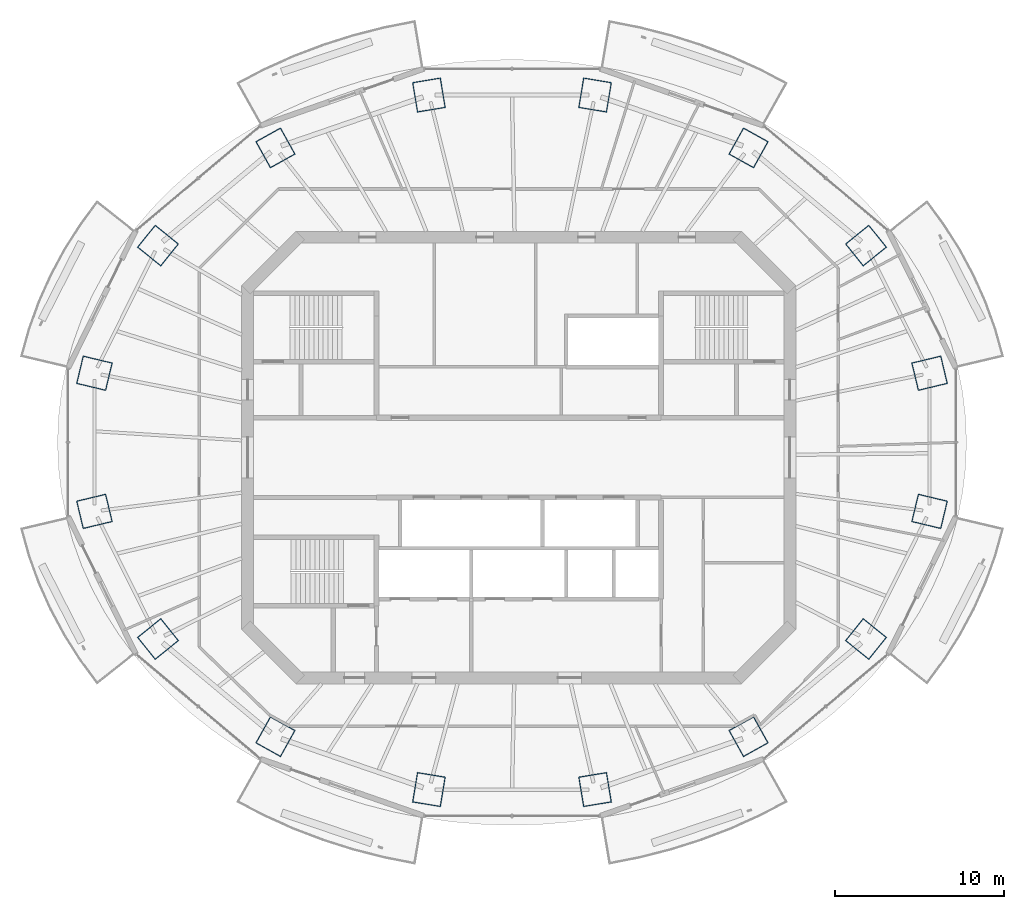
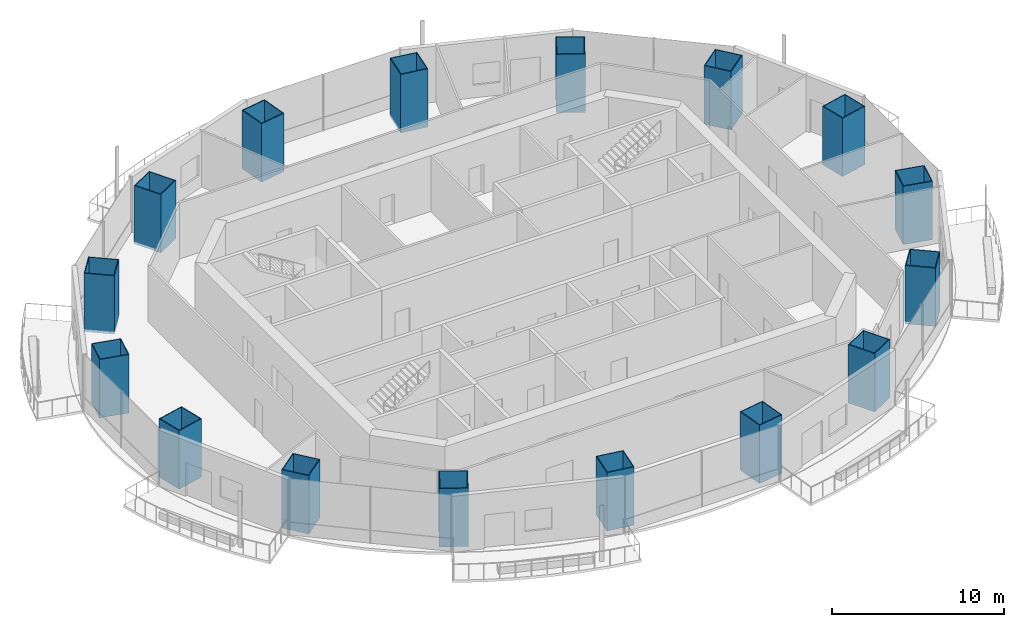
# One storey, part 1 of 16: 16 columns.
"""IFC4 building model written with IfcOpenShell, lengths in metres."""

from ifc_helpers import new_model, si_unit, direction, frame, origin, origin_2d, place, context, subcontext, project, spatial, rectangle, hollow_rectangle, extrude, material, material_profile, profile_set, type_object, element, save


model = new_model("IFC4")

# Units and contexts
model_context = context("Model", 3, precision=1e-05, world=origin(), true_north=direction((0.0, 1.0)))
body_context = subcontext(model_context, "Body", "Model", "MODEL_VIEW")
ifc_project = project(units=[si_unit("LENGTHUNIT", "METRE"), si_unit("AREAUNIT", "SQUARE_METRE"), si_unit("VOLUMEUNIT", "CUBIC_METRE"), si_unit("PLANEANGLEUNIT", "RADIAN"), si_unit("MASSUNIT", "GRAM", prefix="KILO")], contexts=[model_context])

# Site, building, storey
site_placement = place(None, origin())
site = spatial("IfcSite", under=ifc_project, at=site_placement, CompositionType="ELEMENT")
building_placement = place(site_placement, origin())
building = spatial("IfcBuilding", under=site, at=building_placement, Name="Marenthal Gate Tower", CompositionType="ELEMENT")
storey_placement = place(building_placement, frame((0.0, 0.0, 355.050048828125)))
storey = spatial("IfcBuildingStorey", under=building, at=storey_placement, Name="L80", CompositionType="ELEMENT", Elevation=355.050048828125)

# Columns
ifc_material_1 = material(Name="Steel S460", Category="steel")
ifc_material_profile_1 = material_profile(ifc_material_1, hollow_rectangle(XDim=1.699951171875, YDim=1.800048828125, WallThickness=0.050048828125, at=origin_2d()), Name="CFT BOX 1800X1700X50")
ifc_material_2 = material(Name="Concrete 70 MPa", Category="concrete")
ifc_material_profile_2 = material_profile(ifc_material_2, rectangle(XDim=1.60009765625, YDim=1.699951171875, at=origin_2d()), Name="CFT BOX 1800X1700X50 INFILL")
ifc_profile_set = profile_set([ifc_material_profile_1, ifc_material_profile_2], Name="Steel S460 shell, Concrete 70 MPa infill")
column_type = type_object("IfcColumnType", Name="CFT BOX 1800X1700X50", PredefinedType="COLUMN", material=ifc_profile_set)
for number, where, z_axis, x_axis, name in (
    (1, (24.244140625, 4.9765625, -0.179931640625), (0.0, 0.0, 1.0), (0.232625578969, -0.97256636792, 0.0), "COL-L80-01"),
    (2, (20.4921875, 12.50927734375, -0.179931640625), (0.0, 0.0, 1.0), (0.626343978095, -0.779546804947, 0.0), "COL-L80-02"),
    (3, (13.559814453125, 18.2744140625, -0.179931640625), (0.0, 0.0, 1.0), (0.87411577494, -0.485717625787, 0.0), "COL-L80-03"),
    (4, (4.501953125, 21.39453125, -0.179931640625), (0.0, 0.0, 1.0), (0.986592962803, -0.163200262709, 0.0), "COL-L80-04"),
    (5, (-5.302001953125, 21.39453125, -0.179931640625), (0.0, 0.0, 1.0), (0.986592962803, 0.163200262709, 0.0), "COL-L80-05"),
    (6, (-14.35986328125, 18.2744140625, -0.179931640625), (0.0, 0.0, 1.0), (0.87411577494, 0.485717625787, 0.0), "COL-L80-06"),
    (7, (-21.292236328125, 12.50927734375, -0.179931640625), (0.0, 0.0, 1.0), (0.626343978095, 0.779546804947, 0.0), "COL-L80-07"),
    (8, (-25.044189453125, 4.9765625, -0.179931640625), (0.0, 0.0, 1.0), (0.232625578969, 0.97256636792, 0.0), "COL-L80-08"),
    (9, (-25.044189453125, -3.176513671875, -0.179931640625), (0.0, 0.0, 1.0), (-0.232625578969, 0.97256636792, 0.0), "COL-L80-09"),
    (10, (-21.292236328125, -10.709228515625, -0.179931640625), (0.0, 0.0, 1.0), (-0.626343978095, 0.779546804947, 0.0), "COL-L80-10"),
    (11, (-14.35986328125, -16.474365234375, -0.179931640625), (0.0, 0.0, 1.0), (-0.87411577494, 0.485717625787, 0.0), "COL-L80-11"),
    (12, (-5.302001953125, -19.594482421875, -0.179931640625), (0.0, 0.0, 1.0), (-0.986592962803, 0.163200262709, 0.0), "COL-L80-12"),
    (13, (4.501953125, -19.594482421875, -0.179931640625), (0.0, 0.0, 1.0), (-0.986592962803, -0.163200262709, 0.0), "COL-L80-13"),
    (14, (13.559814453125, -16.474365234375, -0.179931640625), (0.0, 0.0, 1.0), (-0.87411577494, -0.485717625787, 0.0), "COL-L80-14"),
    (15, (20.4921875, -10.709228515625, -0.179931640625), (0.0, 0.0, 1.0), (-0.626343978095, -0.779546804947, 0.0), "COL-L80-15"),
    (16, (24.244140625, -3.176513671875, -0.179931640625), (0.0, 0.0, 1.0), (-0.232625578969, -0.97256636792, 0.0), "COL-L80-16"),
):
    element("IfcColumn", number, at=place(storey_placement, frame(where, z_axis=z_axis, x_axis=x_axis)), inside=storey, type_object=column_type, Name=name, PredefinedType="COLUMN", context=body_context, shape_type="SweptSolid", body=[
        extrude(hollow_rectangle(XDim=1.699951171875, YDim=1.800048828125, WallThickness=0.050048828125, at=origin_2d()), origin(), (0.0, 0.0, 1.0), 4.14990234375),
    ])

save(model, "model.ifc")
